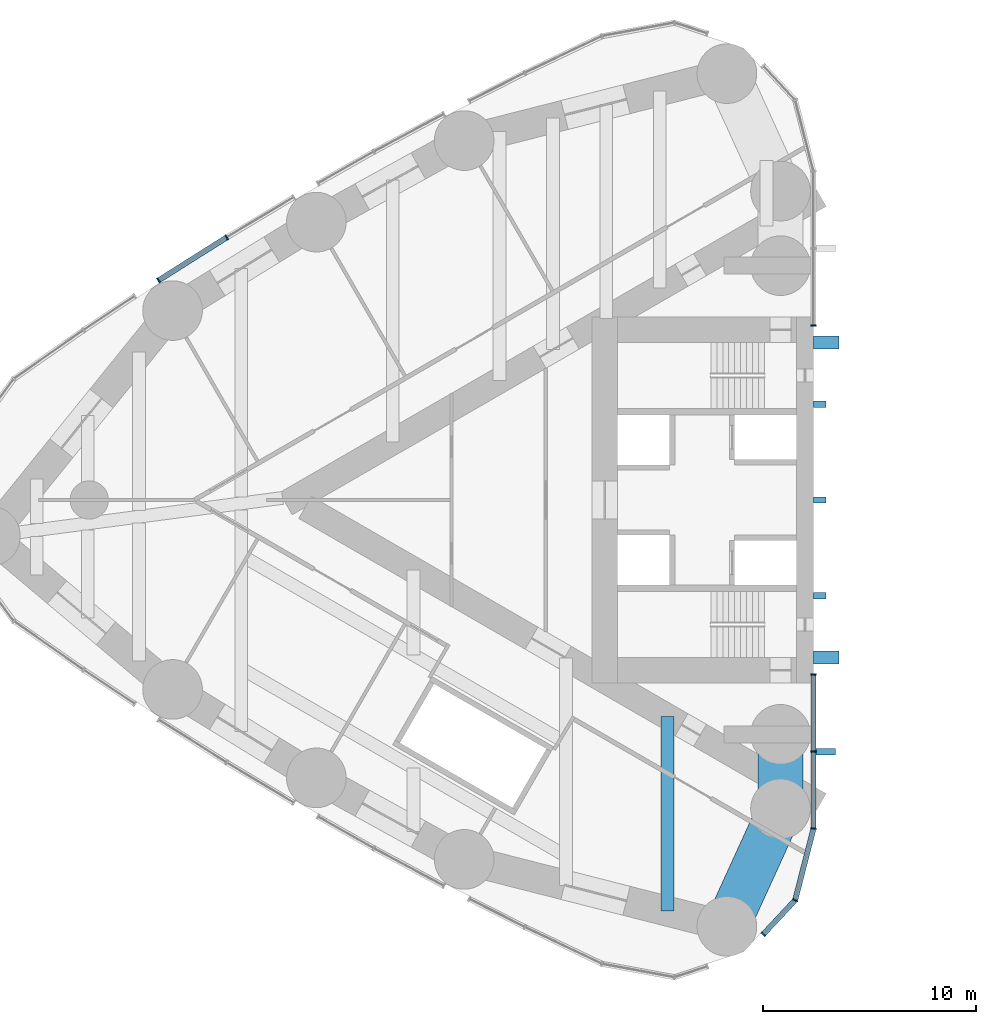
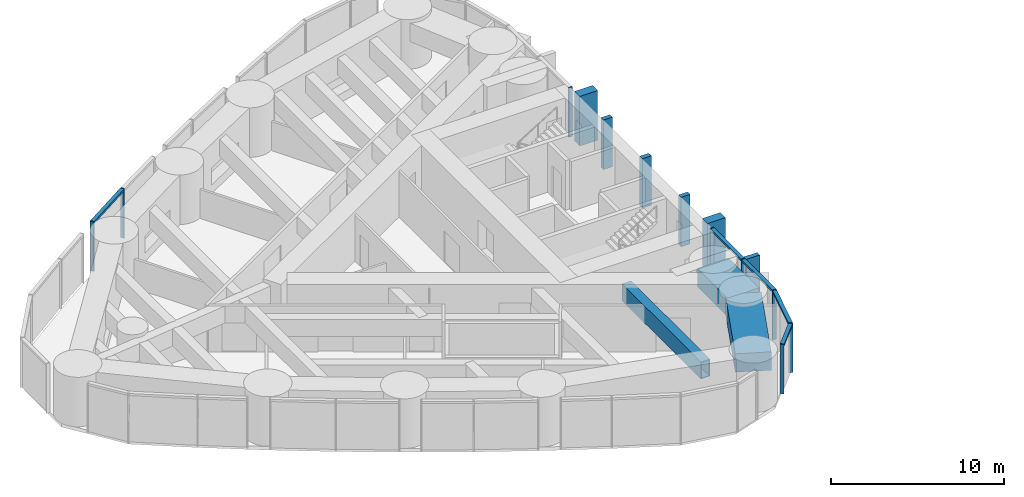
# One storey, part 4 of 17: 19 members, 3 beams, 3 elements without a shape of their own.
"""IFC4 building model written with IfcOpenShell, lengths in metres."""

import ifcopenshell
import ifcopenshell.guid

model = None  # the IFC model being written
_history = None  # IfcOwnerHistory: only IFC2X3 demands one
_inside = {}  # id of a spatial element -> (the spatial element, [elements in it])
_under = {}  # id of a project, library or spatial element -> (it, [spatial elements below it])
_declared = {}  # id of a project -> (the project, [libraries it declares])
_typed = {}  # id of a type object -> (the type object, [elements of that type])
_made_of = {}  # id of a material, layer set ... -> (it, [elements and type objects made of it])


def new_model(schema):
    """Start an empty IFC model of exactly this schema.

    Asked for "IFC4X3", IfcOpenShell would pick the latest addendum, in which some entities
    have other attributes; the version numbers below select the first issue.
    IFC2X3 requires an IfcOwnerHistory on every rooted entity: one is made here for all.
    """
    global model, _history
    if schema == "IFC4X3":
        model = ifcopenshell.file(schema_version=(4, 3, 0, 0))
    else:
        model = ifcopenshell.file(schema=schema)
    _inside.clear()
    _under.clear()
    _declared.clear()
    _typed.clear()
    _made_of.clear()
    _history = None
    if model.schema == "IFC2X3":
        org = make("IfcOrganization", Name="unknown")
        user = make(
            "IfcPersonAndOrganization",
            ThePerson=make("IfcPerson", FamilyName="unknown"),
            TheOrganization=org,
        )
        app = make(
            "IfcApplication",
            ApplicationDeveloper=org,
            Version="unknown",
            ApplicationFullName="unknown",
            ApplicationIdentifier="unknown",
        )
        _history = make(
            "IfcOwnerHistory",
            OwningUser=user,
            OwningApplication=app,
            ChangeAction="ADDED",
            CreationDate=0,
        )
    return model


def make(cls, **values):
    """One entity of the class cls with the attributes given. An attribute that is None is left unset."""
    return model.create_entity(
        cls, **{name: value for name, value in values.items() if value is not None}
    )


def rooted(cls, **values):
    """An entity with a GlobalId (a new one), such as an element, a storey or a relation."""
    return make(cls, GlobalId=ifcopenshell.guid.new(), OwnerHistory=_history, **values)


def si_unit(unit_type, name, prefix=None):
    """IfcSIUnit, for example si_unit("LENGTHUNIT", "METRE", prefix="MILLI")."""
    return make("IfcSIUnit", UnitType=unit_type, Prefix=prefix, Name=name)


def assignment(units):
    """IfcUnitAssignment: the units of a project."""
    return None if units is None else make("IfcUnitAssignment", Units=units)


def point(xyz):
    """IfcCartesianPoint."""
    return None if xyz is None else make("IfcCartesianPoint", Coordinates=xyz)


def direction(xyz):
    """IfcDirection."""
    return None if xyz is None else make("IfcDirection", DirectionRatios=xyz)


def frame(location, z_axis=None, x_axis=None):
    """IfcAxis2Placement3D, a coordinate frame: its origin and axes. An axis left out is left unset."""
    return make(
        "IfcAxis2Placement3D",
        Location=point(location),
        Axis=direction(z_axis),
        RefDirection=direction(x_axis),
    )


def frame_2d(location, x_axis=None):
    """IfcAxis2Placement2D, a coordinate frame in the plane: its origin and x axis."""
    return make(
        "IfcAxis2Placement2D", Location=point(location), RefDirection=direction(x_axis)
    )


def origin():
    """The frame at (0, 0, 0) with its axes left unset."""
    return frame((0.0, 0.0, 0.0))


def origin_2d():
    """The frame at (0, 0) in the plane with its x axis left unset."""
    return frame_2d((0.0, 0.0))


def place(relative_to, where):
    """IfcLocalPlacement: puts the frame where relative to a parent placement (None: the world)."""
    return make(
        "IfcLocalPlacement", PlacementRelTo=relative_to, RelativePlacement=where
    )


def context(
    kind, dimensions, precision=None, world=None, true_north=None, identifier=None
):
    """IfcGeometricRepresentationContext, for example the 3D "Model" context."""
    return make(
        "IfcGeometricRepresentationContext",
        ContextIdentifier=identifier,
        ContextType=kind,
        CoordinateSpaceDimension=dimensions,
        Precision=precision,
        WorldCoordinateSystem=world,
        TrueNorth=true_north,
    )


def subcontext(parent, identifier, kind, view, scale=None):
    """IfcGeometricRepresentationSubContext, for example "Body" below "Model"."""
    return make(
        "IfcGeometricRepresentationSubContext",
        ContextIdentifier=identifier,
        ContextType=kind,
        ParentContext=parent,
        TargetScale=scale,
        TargetView=view,
    )


def project(units=None, contexts=None):
    """IfcProject with its units and contexts."""
    return rooted(
        "IfcProject",
        Name="project",
        RepresentationContexts=contexts,
        UnitsInContext=assignment(units),
    )


def spatial(cls, under=None, at=None, **own):
    """A site, building, storey or space (cls), placed at a placement, below another one or the project."""
    s = rooted(cls, ObjectPlacement=at, **own)
    if under is not None:
        _under.setdefault(under.id(), (under, []))[1].append(s)
    return s


def profile(cls, at=None, kind="AREA", **sizes):
    """A parametric profile (cls). Its sizes go by their IFC names, for example OverallWidth=200.0."""
    return make(cls, ProfileType=kind, Position=at, **sizes)


def rectangle(**sizes):
    """IfcRectangleProfileDef."""
    return profile("IfcRectangleProfileDef", **sizes)


def hollow_rectangle(**sizes):
    """IfcRectangleHollowProfileDef."""
    return profile("IfcRectangleHollowProfileDef", **sizes)


def extrude(swept, where, along, depth):
    """IfcExtrudedAreaSolid: the profile swept, set in the frame where, extruded along a direction by depth."""
    return make(
        "IfcExtrudedAreaSolid",
        SweptArea=swept,
        Position=where,
        ExtrudedDirection=direction(along),
        Depth=depth,
    )


def shape(context_of_items, identifier, shape_type, items):
    """IfcShapeRepresentation: the items that make up one representation, for example the "Body"."""
    return make(
        "IfcShapeRepresentation",
        ContextOfItems=context_of_items,
        RepresentationIdentifier=identifier,
        RepresentationType=shape_type,
        Items=items,
    )


def material(Name=None, Category=None):
    """IfcMaterial."""
    return make("IfcMaterial", Name=Name, Category=Category)


def material_profile(
    of_material, cross_section, Name=None, Category=None, Priority=None
):
    """IfcMaterialProfile: a cross section and its material."""
    return make(
        "IfcMaterialProfile",
        Name=Name,
        Material=of_material,
        Profile=cross_section,
        Priority=Priority,
        Category=Category,
    )


def profile_set(profiles, Name=None, composite=None):
    """IfcMaterialProfileSet."""
    return make(
        "IfcMaterialProfileSet",
        Name=Name,
        MaterialProfiles=profiles,
        CompositeProfile=composite,
    )


def made_of(thing, what):
    """Note that an element or type object is made of a material, layer set ...; save() writes the relation."""
    if what is not None:
        _made_of.setdefault(what.id(), (what, []))[1].append(thing)
    return thing


def type_object(cls, material=None, **own):
    """A type object (cls), such as IfcWallType, which elements share."""
    return made_of(rooted(cls, **own), material)


def element(
    cls,
    number,
    at=None,
    inside=None,
    cuts=None,
    type_object=None,
    material=None,
    context=None,
    identifier="Body",
    shape_type=None,
    held_by="IfcProductDefinitionShape",
    body=None,
    shapes=None,
    **own,
):
    """One element of the class cls, such as IfcWall. Its Tag is "e" and its number.

    at: its placement. inside: the storey or other place that contains it. cuts: it is an
    opening in that element (IfcRelVoidsElement). A single representation is given by context,
    identifier, shape_type and body (its items); several are given by shapes. held_by: the class
    of the entity that holds the representations. save() writes the other relations.
    """
    e = rooted(cls, Tag="e%d" % number, ObjectPlacement=at, **own)
    if body is not None:
        shapes = [shape(context, identifier, shape_type, body)]
    if shapes is not None:
        e.Representation = make(held_by, Representations=shapes)
    if inside is not None:
        _inside.setdefault(inside.id(), (inside, []))[1].append(e)
    if cuts is not None:
        rooted(
            "IfcRelVoidsElement", RelatingBuildingElement=cuts, RelatedOpeningElement=e
        )
    if type_object is not None:
        _typed.setdefault(type_object.id(), (type_object, []))[1].append(e)
    return made_of(e, material)


def aggregate(whole, parts):
    """IfcRelAggregates: a whole, such as a stair, and the parts it consists of."""
    return rooted("IfcRelAggregates", RelatingObject=whole, RelatedObjects=parts)


def save(model, path):
    """Write the relations noted so far, then the file.

    IfcRelAggregates (storeys below a building ...), IfcRelContainedInSpatialStructure (elements
    in a storey), IfcRelDefinesByType, IfcRelAssociatesMaterial and IfcRelDeclares: one each for
    every whole, place, type object, material and project.
    """
    for whole, parts in _under.values():
        aggregate(whole, parts)
    for where, things in _inside.values():
        rooted(
            "IfcRelContainedInSpatialStructure",
            RelatedElements=things,
            RelatingStructure=where,
        )
    for kind, things in _typed.values():
        rooted("IfcRelDefinesByType", RelatedObjects=things, RelatingType=kind)
    for what, things in _made_of.values():
        rooted("IfcRelAssociatesMaterial", RelatedObjects=things, RelatingMaterial=what)
    for by, libraries in _declared.values():
        rooted("IfcRelDeclares", RelatingContext=by, RelatedDefinitions=libraries)
    model.write(path)


model = new_model("IFC4")

# Units and contexts
model_context = context("Model", 3, precision=1e-05, world=origin(), true_north=direction((0.0, 1.0)))
body_context = subcontext(model_context, "Body", "Model", "MODEL_VIEW")
ifc_project = project(units=[si_unit("LENGTHUNIT", "METRE"), si_unit("AREAUNIT", "SQUARE_METRE"), si_unit("VOLUMEUNIT", "CUBIC_METRE"), si_unit("PLANEANGLEUNIT", "RADIAN"), si_unit("MASSUNIT", "GRAM", prefix="KILO")], contexts=[model_context])

# Site, building, storey
site_placement = place(None, origin())
site = spatial("IfcSite", under=ifc_project, at=site_placement, CompositionType="ELEMENT")
building_placement = place(site_placement, origin())
building = spatial("IfcBuilding", under=site, at=building_placement, Name="Lancet Gate Hotel", CompositionType="ELEMENT")
storey_placement = place(building_placement, frame((0.0, 0.0, 201.800048828125)))
storey = spatial("IfcBuildingStorey", under=building, at=storey_placement, Name="L54", CompositionType="ELEMENT", Elevation=201.800048828125)

# Curtain wall, member
ifc_material_1 = material(Name="Aluminium curtain wall", Category="aluminium")
curtain_wall_type = type_object("IfcCurtainWallType", Name="Tower unitised curtain wall", PredefinedType="USERDEFINED", material=ifc_material_1)
curtain_wall_1_placement = place(storey_placement, origin())
curtain_wall_1 = element("IfcCurtainWall", 1, at=curtain_wall_1_placement, inside=storey, type_object=curtain_wall_type, Name="T1 L54 curtain wall 1", ObjectType="UNITISED CURTAIN WALL", PredefinedType="USERDEFINED")
ifc_material_2 = material(Name="Aluminium mullion", Category="aluminium")
ifc_material_profile_1 = material_profile(ifc_material_2, rectangle(XDim=0.06494140625, YDim=0.25, at=origin_2d()), Name="MULLION 65x250")
ifc_profile_set_1 = profile_set([ifc_material_profile_1], Name="Aluminium mullion")
member_type_1 = type_object("IfcMemberType", Name="Aluminium mullion 65x250", PredefinedType="MULLION", material=ifc_profile_set_1)
member_1_placement = place(storey_placement, frame((-27.5, 8.199951171875, 0.0), z_axis=(0.0, 0.0, 1.0), x_axis=(0.0, 1.0, 0.0)))
member_1 = element("IfcMember", 2, at=member_1_placement, type_object=member_type_1, Name="T1 L54 curtain wall 1 mullion 1", PredefinedType="MULLION", context=body_context, shape_type="SweptSolid", body=[
    extrude(rectangle(XDim=0.06494140625, YDim=0.25, at=origin_2d()), origin(), (0.0, 0.0, 1.0), 3.5),
])
aggregate(curtain_wall_1, [member_1])

# Curtain wall, members
curtain_wall_2_placement = place(storey_placement, origin())
curtain_wall_2 = element("IfcCurtainWall", 3, at=curtain_wall_2_placement, inside=storey, type_object=curtain_wall_type, Name="T1 L54 curtain wall 4", ObjectType="UNITISED CURTAIN WALL", PredefinedType="USERDEFINED")
member_2_placement = place(storey_placement, frame((-55.05029296875, 12.328369140625, 0.0), z_axis=(0.0, 0.0, 1.0), x_axis=(-0.851797072513, -0.523871880576, 0.0)))
member_2 = element("IfcMember", 4, at=member_2_placement, type_object=member_type_1, Name="T1 L54 curtain wall 4 mullion 2", PredefinedType="MULLION", context=body_context, shape_type="SweptSolid", body=[
    extrude(rectangle(XDim=0.06494140625, YDim=0.25, at=origin_2d()), origin(), (0.0, 0.0, 1.0), 3.5),
])
member_3_placement = place(storey_placement, frame((-58.25048828125, 10.30859375, 0.0), z_axis=(0.0, 0.0, 1.0), x_axis=(-0.845666871497, -0.533711103925, 0.0)))
member_3 = element("IfcMember", 5, at=member_3_placement, type_object=member_type_1, Name="T1 L54 curtain wall 4 mullion 3", PredefinedType="MULLION", context=body_context, shape_type="SweptSolid", body=[
    extrude(rectangle(XDim=0.06494140625, YDim=0.25, at=origin_2d()), origin(), (0.0, 0.0, 1.0), 3.5),
])

curtain_wall_3_placement = place(storey_placement, origin())
curtain_wall_3 = element("IfcCurtainWall", 6, at=curtain_wall_3_placement, inside=storey, type_object=curtain_wall_type, Name="T1 L54 curtain wall 10", ObjectType="UNITISED CURTAIN WALL", PredefinedType="USERDEFINED")
member_4_placement = place(storey_placement, frame((-29.8583984375, -20.388671875, 0.0), z_axis=(0.0, 0.0, 1.0), x_axis=(0.682844962172, 0.730563315282, 0.0)))
member_4 = element("IfcMember", 7, at=member_4_placement, type_object=member_type_1, Name="T1 L54 curtain wall 10 mullion 1", PredefinedType="MULLION", context=body_context, shape_type="SweptSolid", body=[
    extrude(rectangle(XDim=0.06494140625, YDim=0.25, at=origin_2d()), origin(), (0.0, 0.0, 1.0), 3.5),
])
member_5_placement = place(storey_placement, frame((-28.360595703125, -18.7861328125, 0.0), z_axis=(0.0, 0.0, 1.0), x_axis=(0.429049841875, 0.90328081635, 0.0)))
member_5 = element("IfcMember", 8, at=member_5_placement, type_object=member_type_1, Name="T1 L54 curtain wall 10 mullion 2", PredefinedType="MULLION", context=body_context, shape_type="SweptSolid", body=[
    extrude(rectangle(XDim=0.06494140625, YDim=0.25, at=origin_2d()), origin(), (0.0, 0.0, 1.0), 3.5),
])
member_6_placement = place(storey_placement, frame((-27.5, -15.42333984375, 0.0), z_axis=(0.0, 0.0, 1.0), x_axis=(0.122467472845, 0.992472527627, 0.0)))
member_6 = element("IfcMember", 9, at=member_6_placement, type_object=member_type_1, Name="T1 L54 curtain wall 10 mullion 3", PredefinedType="MULLION", context=body_context, shape_type="SweptSolid", body=[
    extrude(rectangle(XDim=0.06494140625, YDim=0.25, at=origin_2d()), origin(), (0.0, 0.0, 1.0), 3.5),
])
member_7_placement = place(storey_placement, frame((-27.5, -11.811767578125, 0.0), z_axis=(0.0, 0.0, 1.0), x_axis=(0.0, 1.0, 0.0)))
member_7 = element("IfcMember", 10, at=member_7_placement, type_object=member_type_1, Name="T1 L54 curtain wall 10 mullion 4", PredefinedType="MULLION", context=body_context, shape_type="SweptSolid", body=[
    extrude(rectangle(XDim=0.06494140625, YDim=0.25, at=origin_2d()), origin(), (0.0, 0.0, 1.0), 3.5),
])
member_8_placement = place(storey_placement, frame((-27.5, -8.199951171875, 0.0), z_axis=(0.0, 0.0, 1.0), x_axis=(0.0, 1.0, 0.0)))
member_8 = element("IfcMember", 11, at=member_8_placement, type_object=member_type_1, Name="T1 L54 curtain wall 10 mullion 5", PredefinedType="MULLION", context=body_context, shape_type="SweptSolid", body=[
    extrude(rectangle(XDim=0.06494140625, YDim=0.25, at=origin_2d()), origin(), (0.0, 0.0, 1.0), 3.5),
])

# Member
ifc_material_3 = material(Name="Aluminium transom", Category="aluminium")
ifc_material_profile_2 = material_profile(ifc_material_3, rectangle(XDim=0.25, YDim=0.14990234375, at=origin_2d()), Name="TRANSOM 250x150")
ifc_profile_set_2 = profile_set([ifc_material_profile_2], Name="Aluminium transom")
member_type_2 = type_object("IfcMemberType", Name="Aluminium transom 250x150", PredefinedType="USERDEFINED", material=ifc_profile_set_2)
member_9_placement = place(storey_placement, frame((-55.077880859375, 12.31103515625, 3.425048828125), z_axis=(-0.845655759396, -0.533728710677, 0.0), x_axis=(0.533728710677, -0.845655759396, 0.0)))
member_9 = element("IfcMember", 12, at=member_9_placement, type_object=member_type_2, Name="T1 L54 curtain wall 4 transom 2", ObjectType="TRANSOM", PredefinedType="USERDEFINED", context=body_context, shape_type="SweptSolid", body=[
    extrude(rectangle(XDim=0.25, YDim=0.14990234375, at=origin_2d()), origin(), (0.0, 0.0, 1.0), 3.71923828125),
])

aggregate(curtain_wall_2, [member_2, member_3, member_9])

member_10_placement = place(storey_placement, frame((-29.836181640625, -20.36474609375, 3.425048828125), z_axis=(0.682845284953, 0.730563013584, 0.0), x_axis=(-0.730563013584, 0.682845284953, 0.0)))
member_10 = element("IfcMember", 13, at=member_10_placement, type_object=member_type_2, Name="T1 L54 curtain wall 10 transom 1", ObjectType="TRANSOM", PredefinedType="USERDEFINED", context=body_context, shape_type="SweptSolid", body=[
    extrude(rectangle(XDim=0.25, YDim=0.14990234375, at=origin_2d()), origin(), (0.0, 0.0, 1.0), 2.12841796875),
])

member_11_placement = place(storey_placement, frame((-28.3525390625, -18.754638671875, 3.425048828125), z_axis=(0.247928683912, 0.968778286139, 0.0), x_axis=(-0.968778286139, 0.247928683912, 0.0)))
member_11 = element("IfcMember", 14, at=member_11_placement, type_object=member_type_2, Name="T1 L54 curtain wall 10 transom 2", ObjectType="TRANSOM", PredefinedType="USERDEFINED", context=body_context, shape_type="SweptSolid", body=[
    extrude(rectangle(XDim=0.25, YDim=0.14990234375, at=origin_2d()), origin(), (0.0, 0.0, 1.0), 3.40625),
])

member_12_placement = place(storey_placement, frame((-27.5, -15.390869140625, 3.425048828125), z_axis=(0.0, 1.0, 0.0), x_axis=(-1.0, 0.0, 0.0)))
member_12 = element("IfcMember", 15, at=member_12_placement, type_object=member_type_2, Name="T1 L54 curtain wall 10 transom 3", ObjectType="TRANSOM", PredefinedType="USERDEFINED", context=body_context, shape_type="SweptSolid", body=[
    extrude(rectangle(XDim=0.25, YDim=0.14990234375, at=origin_2d()), origin(), (0.0, 0.0, 1.0), 3.546630859375),
])

member_13_placement = place(storey_placement, frame((-27.5, -11.779296875, 3.425048828125), z_axis=(0.0, 1.0, 0.0), x_axis=(-1.0, 0.0, 0.0)))
member_13 = element("IfcMember", 16, at=member_13_placement, type_object=member_type_2, Name="T1 L54 curtain wall 10 transom 4", ObjectType="TRANSOM", PredefinedType="USERDEFINED", context=body_context, shape_type="SweptSolid", body=[
    extrude(rectangle(XDim=0.25, YDim=0.14990234375, at=origin_2d()), origin(), (0.0, 0.0, 1.0), 3.546875),
])

# Members
ifc_material_4 = material(Name="Concrete C60/75", Category="concrete")
ifc_material_profile_3 = material_profile(ifc_material_4, rectangle(XDim=0.60009765625, YDim=1.199951171875, at=origin_2d()), Name="FIN 600x1200")
ifc_profile_set_3 = profile_set([ifc_material_profile_3], Name="Concrete C60/75")
member_type_3 = type_object("IfcMemberType", Name="Exposed concrete buttress pilaster 600x1200", PredefinedType="USERDEFINED", material=ifc_profile_set_3)
for number, where, z_axis, x_axis, name in (
    (17, (-26.909912109375, 7.39990234375, 0.0), (0.0, 0.0, 1.0), (0.0, 1.0, 0.0), "T1 buttress pilaster S L54"),
    (18, (-26.909912109375, -7.39990234375, 0.0), (0.0, 0.0, 1.0), (0.0, 1.0, 0.0), "T1 buttress pilaster N L54"),
):
    element("IfcMember", number, at=place(storey_placement, frame(where, z_axis=z_axis, x_axis=x_axis)), inside=storey, type_object=member_type_3, Name=name, ObjectType="FIN", PredefinedType="USERDEFINED", context=body_context, shape_type="SweptSolid", body=[
        extrude(rectangle(XDim=0.60009765625, YDim=1.199951171875, at=origin_2d()), origin(), (0.0, 0.0, 1.0), 3.5),
    ])

# Member
ifc_material_5 = material(Name="Precast concrete C50/60", Category="concrete")
ifc_material_profile_4 = material_profile(ifc_material_5, rectangle(XDim=0.300048828125, YDim=0.89990234375, at=origin_2d()), Name="FIN 300x900")
ifc_profile_set_4 = profile_set([ifc_material_profile_4], Name="Precast concrete C50/60")
member_type_4 = type_object("IfcMemberType", Name="Exposed concrete fin 300x900", PredefinedType="USERDEFINED", material=ifc_profile_set_4)
member_14_placement = place(storey_placement, frame((-26.925048828125, -11.811767578125, 0.0), z_axis=(0.0, 0.0, 1.0), x_axis=(0.0, 1.0, 0.0)))
member_14 = element("IfcMember", 19, at=member_14_placement, type_object=member_type_4, Name="T1 L54 curtain wall 10 fin 4", ObjectType="FIN", PredefinedType="USERDEFINED", context=body_context, shape_type="SweptSolid", body=[
    extrude(rectangle(XDim=0.300048828125, YDim=0.89990234375, at=origin_2d()), origin(), (0.0, 0.0, 1.0), 3.5),
])

aggregate(curtain_wall_3, [member_4, member_5, member_6, member_7, member_14, member_8, member_10, member_11, member_12, member_13])

# Members
ifc_material_6 = material(Name="Concrete C60/75", Category="concrete")
ifc_material_profile_5 = material_profile(ifc_material_6, rectangle(XDim=0.300048828125, YDim=0.60009765625, at=origin_2d()), Name="FIN 300x600")
ifc_profile_set_5 = profile_set([ifc_material_profile_5], Name="Concrete C60/75")
member_type_5 = type_object("IfcMemberType", Name="Exposed concrete rib 300x600", PredefinedType="USERDEFINED", material=ifc_profile_set_5)
for number, where, z_axis, x_axis, name in (
    (20, (-27.2099609375, 4.5, 0.0), (0.0, 0.0, 1.0), (0.0, 1.0, 0.0), "T1 core rib 1 L54"),
    (21, (-27.2099609375, 0.0, 0.0), (0.0, 0.0, 1.0), (0.0, 1.0, 0.0), "T1 core rib 2 L54"),
    (22, (-27.2099609375, -4.5, 0.0), (0.0, 0.0, 1.0), (0.0, 1.0, 0.0), "T1 core rib 3 L54"),
):
    element("IfcMember", number, at=place(storey_placement, frame(where, z_axis=z_axis, x_axis=x_axis)), inside=storey, type_object=member_type_5, Name=name, ObjectType="FIN", PredefinedType="USERDEFINED", context=body_context, shape_type="SweptSolid", body=[
        extrude(rectangle(XDim=0.300048828125, YDim=0.60009765625, at=origin_2d()), origin(), (0.0, 0.0, 1.0), 3.5),
    ])

# Beams
ifc_material_7 = material(Name="Steel S460QL", Category="steel")
ifc_material_profile_6 = material_profile(ifc_material_7, hollow_rectangle(XDim=0.60009765625, YDim=1.199951171875, WallThickness=0.050048828125, at=origin_2d()), Name="BOX 1200x600x50")
ifc_profile_set_6 = profile_set([ifc_material_profile_6], Name="Steel S460QL")
beam_type_1 = type_object("IfcBeamType", Name="Refuge floor beam BOX 1200x600x50", PredefinedType="BEAM", material=ifc_profile_set_6)
beam_1_placement = place(storey_placement, frame((-34.353515625, -10.169921875, 2.64990234375), z_axis=(0.0, -1.0, 0.0), x_axis=(1.0, 0.0, 0.0)))
element("IfcBeam", 23, at=beam_1_placement, inside=storey, type_object=beam_type_1, Name="T1 floor beam F02N L54", PredefinedType="BEAM", context=body_context, shape_type="SweptSolid", body=[
    extrude(hollow_rectangle(XDim=0.60009765625, YDim=1.199951171875, WallThickness=0.050048828125, at=origin_2d()), origin(), (0.0, 0.0, 1.0), 9.13525390625),
])
ifc_material_8 = material(Name="Concrete C50/60", Category="concrete")
ifc_material_profile_7 = material_profile(ifc_material_8, rectangle(XDim=2.10009765625, YDim=1.300048828125, at=origin_2d()), Name="RC 2100x1300")
ifc_profile_set_7 = profile_set([ifc_material_profile_7], Name="Concrete C50/60")
beam_type_2 = type_object("IfcBeamType", Name="Tie ring beam RC 2100x1300", PredefinedType="SPANDREL", material=ifc_profile_set_7)
beam_2_placement = place(storey_placement, frame((-29.050048828125, -11.0, 2.599853515625), z_axis=(0.0, -1.0, 0.0), x_axis=(1.0, 0.0, 0.0)))
element("IfcBeam", 24, at=beam_2_placement, inside=storey, type_object=beam_type_2, Name="T1 tie ring beam RG2 L54", PredefinedType="SPANDREL", context=body_context, shape_type="SweptSolid", body=[
    extrude(rectangle(XDim=2.10009765625, YDim=1.300048828125, at=origin_2d()), origin(), (0.0, 0.0, 1.0), 3.5),
])
beam_3_placement = place(storey_placement, frame((-29.050048828125, -14.5, 2.599853515625), z_axis=(-0.414919206993, -0.909858259109, 0.0), x_axis=(0.909858259109, -0.414919206993, 0.0)))
element("IfcBeam", 25, at=beam_3_placement, inside=storey, type_object=beam_type_2, Name="T1 tie ring beam RG2 L54", PredefinedType="SPANDREL", context=body_context, shape_type="SweptSolid", body=[
    extrude(rectangle(XDim=2.10009765625, YDim=1.300048828125, at=origin_2d()), origin(), (0.0, 0.0, 1.0), 6.062255859375),
])

save(model, "model.ifc")
